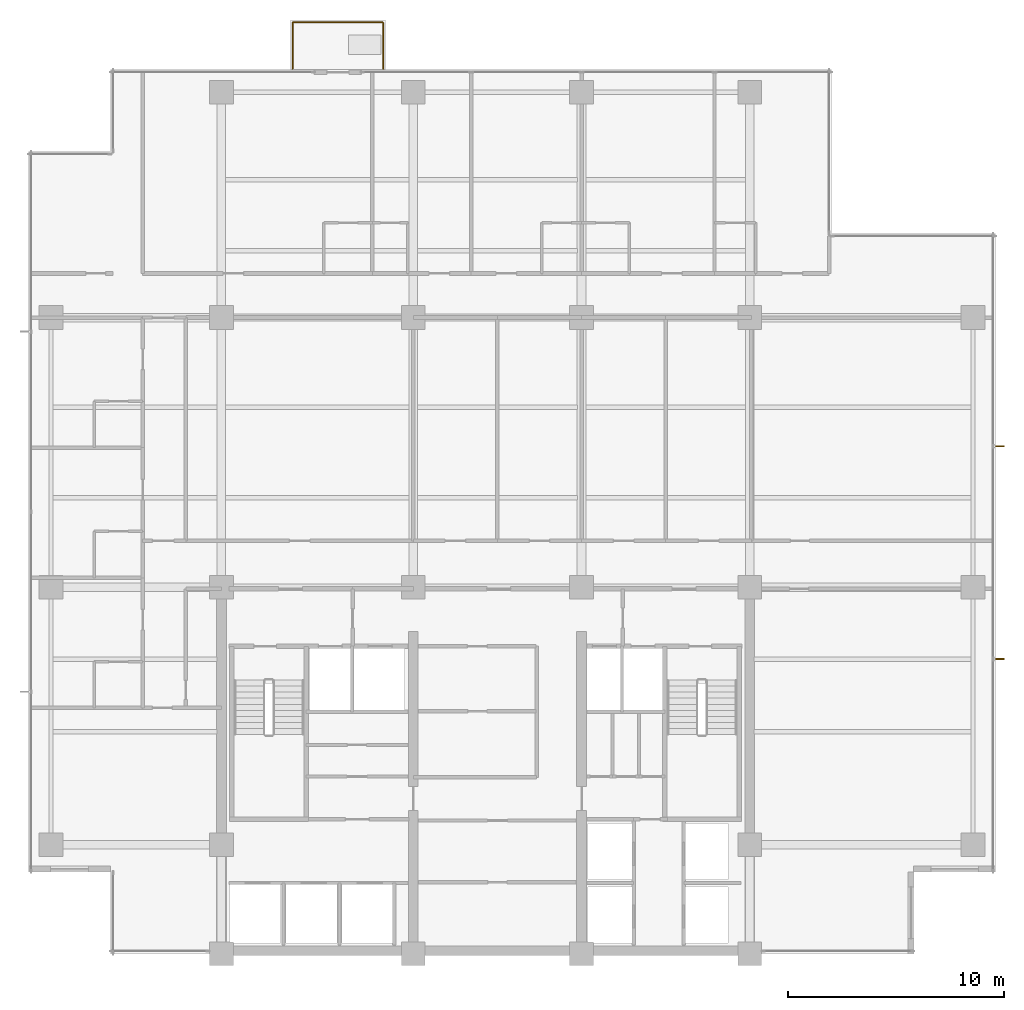
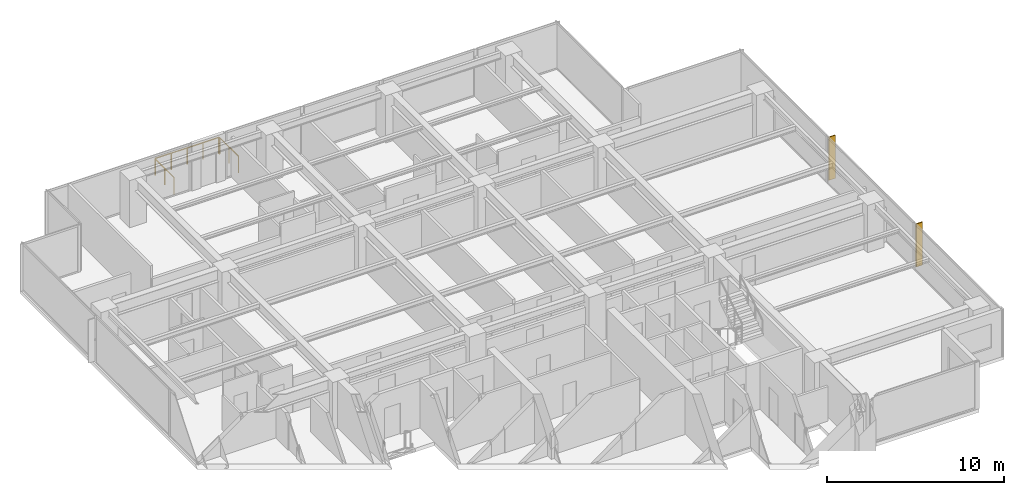
# One storey, part 14 of 14: 3 railings, 2 shading devices.
"""IFC4 building model written with IfcOpenShell, lengths in metres."""

from ifc_helpers import new_model, si_unit, direction, frame, origin, origin_2d, place, context, subcontext, project, spatial, polyline, circle, outline, extrude, material, layer, layer_set, type_object, element, save


model = new_model("IFC4")

# Units and contexts
model_context = context("Model", 3, precision=1e-05, world=origin(), true_north=direction((0.0, 1.0)))
body_context = subcontext(model_context, "Body", "Model", "MODEL_VIEW")
ifc_project = project(units=[si_unit("LENGTHUNIT", "METRE"), si_unit("AREAUNIT", "SQUARE_METRE"), si_unit("VOLUMEUNIT", "CUBIC_METRE"), si_unit("PLANEANGLEUNIT", "RADIAN"), si_unit("MASSUNIT", "GRAM", prefix="KILO")], contexts=[model_context])

# Site, building, storey
site_placement = place(None, origin())
site = spatial("IfcSite", under=ifc_project, at=site_placement, CompositionType="ELEMENT")
building_placement = place(site_placement, origin())
building = spatial("IfcBuilding", under=site, at=building_placement, Name="Qalmaran Belvedere Hotel", CompositionType="ELEMENT")
storey_placement = place(building_placement, frame((0.0, 0.0, 152.60009765625)))
storey = spatial("IfcBuildingStorey", under=building, at=storey_placement, Name="L38", CompositionType="ELEMENT", Elevation=152.60009765625)

# Shading devices
ifc_material = material(Name="Anodised Bronze Aluminium", Category="aluminium")
ifc_layer = layer(ifc_material, 0.06494140625, Name="Anodised Bronze Aluminium")
ifc_layer_set = layer_set([ifc_layer], Name="Anodised Bronze Aluminium")
shading_device_type = type_object("IfcShadingDeviceType", Name="FIN-BRNZ-420", PredefinedType="USERDEFINED", material=ifc_layer_set)
shading_device_1_placement = place(storey_placement, frame((0.0, 0.0, 0.159912109375)))
element("IfcShadingDevice", 1, at=shading_device_1_placement, inside=storey, type_object=shading_device_type, Name="L38 Bronze Fin 1", ObjectType="FIN", PredefinedType="USERDEFINED", context=body_context, shape_type="SweptSolid", body=[
    extrude(outline(polyline([(56.169921875, 17.13427734375), (56.590087890625, 17.13427734375), (56.590087890625, 17.19921875), (56.169921875, 17.19921875), (56.169921875, 17.13427734375)])), origin(), (0.0, 0.0, 1.0), 2.969970703125),
])
shading_device_2_placement = place(storey_placement, frame((0.0, 0.0, 0.159912109375)))
element("IfcShadingDevice", 2, at=shading_device_2_placement, inside=storey, type_object=shading_device_type, Name="L38 Bronze Fin 2", ObjectType="FIN", PredefinedType="USERDEFINED", context=body_context, shape_type="SweptSolid", body=[
    extrude(outline(polyline([(56.169921875, 27.000732421875), (56.590087890625, 27.000732421875), (56.590087890625, 27.06591796875), (56.169921875, 27.06591796875), (56.169921875, 27.000732421875)])), origin(), (0.0, 0.0, 1.0), 2.969970703125),
])

# Railings
railing_type = type_object("IfcRailingType", Name="GRD-BAL-1150", PredefinedType="BALUSTRADE", material=ifc_material)
railing_1_placement = place(storey_placement, frame((23.60009765625, 44.534912109375, 0.0)))
element("IfcRailing", 3, at=railing_1_placement, inside=storey, type_object=railing_type, Name="L38 Guardrail BAL-L38-N-1", PredefinedType="BALUSTRADE", context=body_context, shape_type="SweptSolid", body=[
    extrude(circle(Radius=0.02392578125, at=origin_2d()), frame((0.0, 0.0, 1.1259765625), z_axis=(0.0, 1.0, 0.0), x_axis=(-1.0, 0.0, 0.0)), (0.0, 0.0, 1.0), 2.130126953125),
    extrude(circle(Radius=0.02099609375, at=origin_2d()), origin(), (0.0, 0.0, 1.0), 1.101806640625),
    extrude(circle(Radius=0.02099609375, at=origin_2d()), frame((0.0, 1.06494140625, 0.0)), (0.0, 0.0, 1.0), 1.101806640625),
    extrude(circle(Radius=0.02099609375, at=origin_2d()), frame((0.0, 2.130126953125, 0.0)), (0.0, 0.0, 1.0), 1.101806640625),
])
railing_2_placement = place(storey_placement, frame((23.635009765625, 46.699951171875, 0.0)))
element("IfcRailing", 4, at=railing_2_placement, inside=storey, type_object=railing_type, Name="L38 Guardrail BAL-L38-N-2", PredefinedType="BALUSTRADE", context=body_context, shape_type="SweptSolid", body=[
    extrude(circle(Radius=0.02392578125, at=origin_2d()), frame((0.0, 0.0, 1.1259765625), z_axis=(1.0, 0.0, 0.0), x_axis=(0.0, 1.0, 0.0)), (0.0, 0.0, 1.0), 4.1298828125),
    extrude(circle(Radius=0.02099609375, at=origin_2d()), origin(), (0.0, 0.0, 1.0), 1.101806640625),
    extrude(circle(Radius=0.02099609375, at=origin_2d()), frame((1.032470703125, 0.0, 0.0)), (0.0, 0.0, 1.0), 1.101806640625),
    extrude(circle(Radius=0.02099609375, at=origin_2d()), frame((2.06494140625, 0.0, 0.0)), (0.0, 0.0, 1.0), 1.101806640625),
    extrude(circle(Radius=0.02099609375, at=origin_2d()), frame((3.097412109375, 0.0, 0.0)), (0.0, 0.0, 1.0), 1.101806640625),
    extrude(circle(Radius=0.02099609375, at=origin_2d()), frame((4.1298828125, 0.0, 0.0)), (0.0, 0.0, 1.0), 1.101806640625),
])
railing_3_placement = place(storey_placement, frame((27.800048828125, 46.6650390625, 0.0)))
element("IfcRailing", 5, at=railing_3_placement, inside=storey, type_object=railing_type, Name="L38 Guardrail BAL-L38-N-3", PredefinedType="BALUSTRADE", context=body_context, shape_type="SweptSolid", body=[
    extrude(circle(Radius=0.02392578125, at=origin_2d()), frame((0.0, 0.0, 1.1259765625), z_axis=(0.0, -1.0, 0.0), x_axis=(1.0, 0.0, 0.0)), (0.0, 0.0, 1.0), 2.130126953125),
    extrude(circle(Radius=0.02099609375, at=origin_2d()), origin(), (0.0, 0.0, 1.0), 1.101806640625),
    extrude(circle(Radius=0.02099609375, at=origin_2d()), frame((0.0, -1.06494140625, 0.0)), (0.0, 0.0, 1.0), 1.101806640625),
    extrude(circle(Radius=0.02099609375, at=origin_2d()), frame((0.0, -2.130126953125, 0.0)), (0.0, 0.0, 1.0), 1.101806640625),
])

save(model, "model.ifc")
